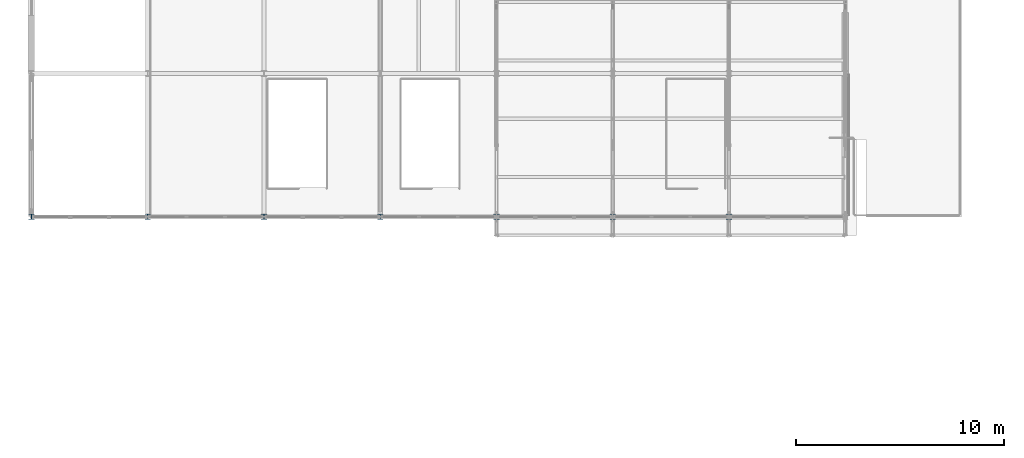
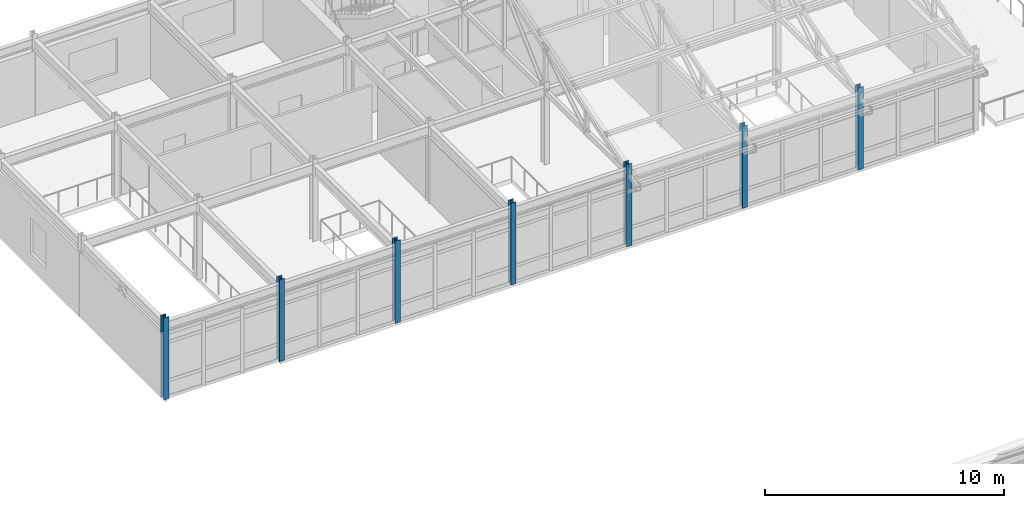
# One storey, part 5 of 144: 7 columns.
"""IFC4 building model written with IfcOpenShell, lengths in metres."""

from ifc_helpers import new_model, si_unit, direction, frame, origin, origin_2d, place, context, subcontext, project, spatial, i_section, extrude, material, material_profile, profile_set, type_object, element, save


model = new_model("IFC4")

# Units and contexts
model_context = context("Model", 3, precision=1e-05, world=origin(), true_north=direction((0.0, 1.0)))
body_context = subcontext(model_context, "Body", "Model", "MODEL_VIEW")
ifc_project = project(units=[si_unit("LENGTHUNIT", "METRE"), si_unit("AREAUNIT", "SQUARE_METRE"), si_unit("VOLUMEUNIT", "CUBIC_METRE"), si_unit("PLANEANGLEUNIT", "RADIAN"), si_unit("MASSUNIT", "GRAM", prefix="KILO")], contexts=[model_context])

# Site, building, storey
site_placement = place(None, origin())
site = spatial("IfcSite", under=ifc_project, at=site_placement, CompositionType="ELEMENT")
building_placement = place(site_placement, origin())
building = spatial("IfcBuilding", under=site, at=building_placement, Name="Trelmorton Wharf Fire Station", CompositionType="ELEMENT")
storey_placement = place(building_placement, frame((0.0, 0.0, 5.39990234375)))
storey = spatial("IfcBuildingStorey", under=building, at=storey_placement, Name="L01", CompositionType="ELEMENT", Elevation=5.39990234375)

# Columns
ifc_material = material(Name="Steel Grade 350", Category="steel")
ifc_material_profile = material_profile(ifc_material, i_section(OverallWidth=0.256103515625, OverallDepth=0.260009765625, WebThickness=0.010498046875, FlangeThickness=0.017333984375, FilletRadius=0.0126953125, at=origin_2d()), Name="250UC89.5")
ifc_profile_set = profile_set([ifc_material_profile], Name="Steel Grade 350")
column_type = type_object("IfcColumnType", Name="COL_250UC89", PredefinedType="COLUMN", material=ifc_profile_set)
for number, where, z_axis, x_axis, name in (
    (1, (0.800048828125, 60.300048828125, 0.0), (0.0, 0.0, 1.0), (1.0, 0.0, 0.0), "COL-L01-0252"),
    (2, (6.39990234375, 60.300048828125, 0.0), (0.0, 0.0, 1.0), (1.0, 0.0, 0.0), "COL-L01-0262"),
    (3, (12.0, 60.300048828125, 0.0), (0.0, 0.0, 1.0), (1.0, 0.0, 0.0), "COL-L01-0270"),
    (4, (17.60009765625, 60.300048828125, 0.0), (0.0, 0.0, 1.0), (1.0, 0.0, 0.0), "COL-L01-0278"),
    (5, (23.199951171875, 60.300048828125, 0.0), (0.0, 0.0, 1.0), (1.0, 0.0, 0.0), "COL-L01-0286"),
    (6, (28.800048828125, 60.300048828125, 0.0), (0.0, 0.0, 1.0), (1.0, 0.0, 0.0), "COL-L01-0294"),
    (7, (34.39990234375, 60.300048828125, 0.0), (0.0, 0.0, 1.0), (1.0, 0.0, 0.0), "COL-L01-0302"),
):
    element("IfcColumn", number, at=place(storey_placement, frame(where, z_axis=z_axis, x_axis=x_axis)), inside=storey, type_object=column_type, Name=name, PredefinedType="COLUMN", context=body_context, shape_type="SweptSolid", body=[
        extrude(i_section(OverallWidth=0.256103515625, OverallDepth=0.260009765625, WebThickness=0.010498046875, FlangeThickness=0.017333984375, FilletRadius=0.0126953125, at=origin_2d()), origin(), (0.0, 0.0, 1.0), 4.2001953125),
    ])

save(model, "model.ifc")
